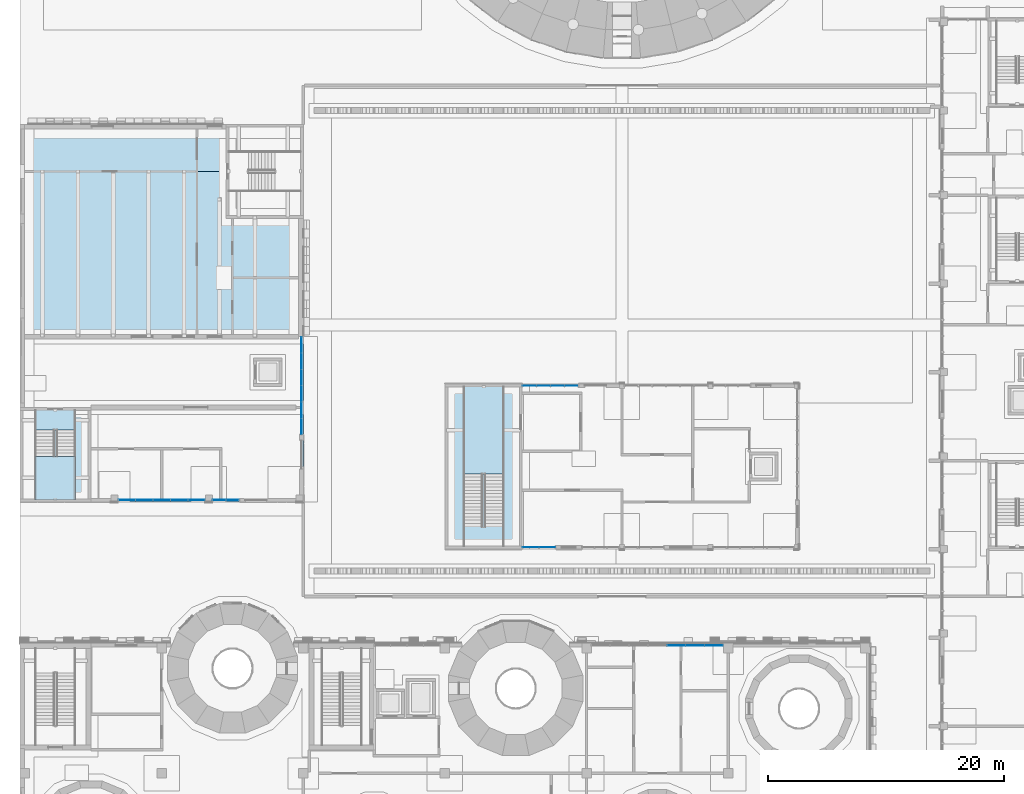
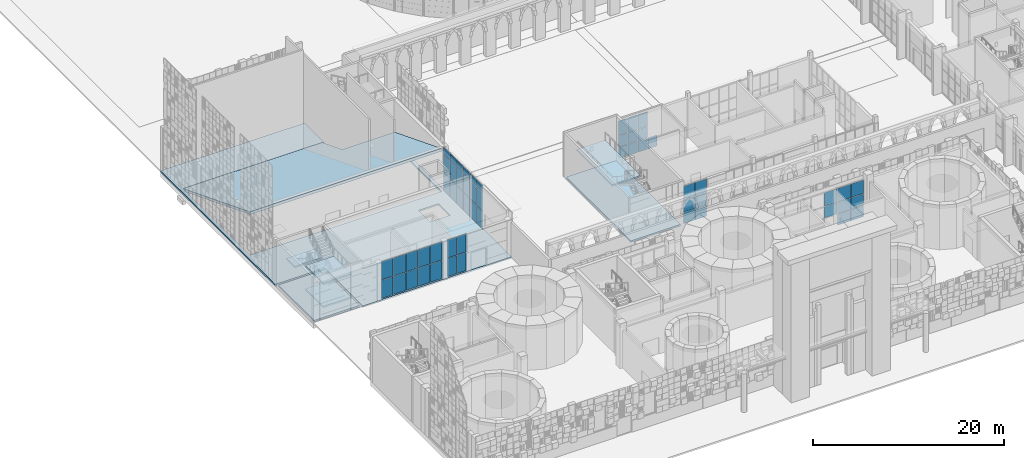
# One storey, part 41 of 125: 56 plates, 8 slabs, 8 elements without a shape of their own.
"""IFC4 building model written with IfcOpenShell, lengths in metres."""

from ifc_helpers import new_model, si_unit, direction, frame, origin, origin_2d, place, context, subcontext, project, spatial, polyline, rectangle, outline, extrude, material, layer, layer_set, type_object, element, aggregate, save


model = new_model("IFC4")

# Units and contexts
model_context = context("Model", 3, precision=1e-05, world=origin(), true_north=direction((0.0, 1.0)))
body_context = subcontext(model_context, "Body", "Model", "MODEL_VIEW")
ifc_project = project(units=[si_unit("LENGTHUNIT", "METRE"), si_unit("AREAUNIT", "SQUARE_METRE"), si_unit("VOLUMEUNIT", "CUBIC_METRE"), si_unit("PLANEANGLEUNIT", "RADIAN"), si_unit("MASSUNIT", "GRAM", prefix="KILO")], contexts=[model_context])

# Site, building, storey
site_placement = place(None, origin())
site = spatial("IfcSite", under=ifc_project, at=site_placement, CompositionType="ELEMENT")
building_placement = place(site_placement, origin())
building = spatial("IfcBuilding", under=site, at=building_placement, Name="Sun Court Science Centre", CompositionType="ELEMENT")
storey_placement = place(building_placement, origin())
storey = spatial("IfcBuildingStorey", under=building, at=storey_placement, Name="L00", CompositionType="ELEMENT", Elevation=0.0)

# Curtain wall, plates
ifc_material_1 = material(Name="Aluminium EN AW-6063 T6", Category="aluminium")
curtain_wall_type_1 = type_object("IfcCurtainWallType", Name="Court gallery curtain wall 1500", PredefinedType="NOTDEFINED", material=ifc_material_1)
curtain_wall_1_placement = place(storey_placement, origin())
curtain_wall_1 = element("IfcCurtainWall", 1, at=curtain_wall_1_placement, inside=storey, type_object=curtain_wall_type_1, Name="Curtain wall V2 N L00 02", PredefinedType="NOTDEFINED")
ifc_material_2 = material(Name="Insulated glass", Category="glass")
ifc_layer_1 = layer(ifc_material_2, 0.031982421875)
ifc_layer_set_1 = layer_set([ifc_layer_1], Name="Insulated glass")
plate_type_1 = type_object("IfcPlateType", Name="Foyer insulated glazing panel 8-16-8", PredefinedType="CURTAIN_PANEL", material=ifc_layer_set_1)
plate_1_placement = place(storey_placement, frame((57.199951171875, 27.85009765625, 0.0498046875), z_axis=(0.0, 0.0, 1.0), x_axis=(1.0, 0.0, 0.0)))
plate_1 = element("IfcPlate", 2, at=plate_1_placement, type_object=plate_type_1, Name="CW5-02 panel 6.1", PredefinedType="CURTAIN_PANEL", context=body_context, shape_type="SweptSolid", body=[
    extrude(rectangle(XDim=1.550048828125, YDim=0.031982421875, at=origin_2d()), origin(), (0.0, 0.0, 1.0), 1.425048828125),
])
plate_2_placement = place(storey_placement, frame((58.78759765625, 27.85009765625, 0.0498046875), z_axis=(0.0, 0.0, 1.0), x_axis=(1.0, 0.0, 0.0)))
plate_2 = element("IfcPlate", 3, at=plate_2_placement, type_object=plate_type_1, Name="CW5-02 panel 7.1", PredefinedType="CURTAIN_PANEL", context=body_context, shape_type="SweptSolid", body=[
    extrude(rectangle(XDim=1.52490234375, YDim=0.031982421875, at=origin_2d()), origin(), (0.0, 0.0, 1.0), 1.425048828125),
])
plate_3_placement = place(storey_placement, frame((55.60009765625, 27.85009765625, 1.52490234375), z_axis=(0.0, 0.0, 1.0), x_axis=(1.0, 0.0, 0.0)))
plate_3 = element("IfcPlate", 4, at=plate_3_placement, type_object=plate_type_1, Name="CW5-02 panel 5.2", PredefinedType="CURTAIN_PANEL", context=body_context, shape_type="SweptSolid", body=[
    extrude(rectangle(XDim=1.550048828125, YDim=0.031982421875, at=origin_2d()), origin(), (0.0, 0.0, 1.0), 1.449951171875),
])
plate_4_placement = place(storey_placement, frame((57.199951171875, 27.85009765625, 1.52490234375), z_axis=(0.0, 0.0, 1.0), x_axis=(1.0, 0.0, 0.0)))
plate_4 = element("IfcPlate", 5, at=plate_4_placement, type_object=plate_type_1, Name="CW5-02 panel 6.2", PredefinedType="CURTAIN_PANEL", context=body_context, shape_type="SweptSolid", body=[
    extrude(rectangle(XDim=1.550048828125, YDim=0.031982421875, at=origin_2d()), origin(), (0.0, 0.0, 1.0), 1.449951171875),
])
plate_5_placement = place(storey_placement, frame((58.78759765625, 27.85009765625, 1.52490234375), z_axis=(0.0, 0.0, 1.0), x_axis=(1.0, 0.0, 0.0)))
plate_5 = element("IfcPlate", 6, at=plate_5_placement, type_object=plate_type_1, Name="CW5-02 panel 7.2", PredefinedType="CURTAIN_PANEL", context=body_context, shape_type="SweptSolid", body=[
    extrude(rectangle(XDim=1.52490234375, YDim=0.031982421875, at=origin_2d()), origin(), (0.0, 0.0, 1.0), 1.449951171875),
])
plate_6_placement = place(storey_placement, frame((55.60009765625, 27.85009765625, 3.02490234375), z_axis=(0.0, 0.0, 1.0), x_axis=(1.0, 0.0, 0.0)))
plate_6 = element("IfcPlate", 7, at=plate_6_placement, type_object=plate_type_1, Name="CW5-02 panel 5.3", PredefinedType="CURTAIN_PANEL", context=body_context, shape_type="SweptSolid", body=[
    extrude(rectangle(XDim=1.550048828125, YDim=0.031982421875, at=origin_2d()), origin(), (0.0, 0.0, 1.0), 1.72509765625),
])
plate_7_placement = place(storey_placement, frame((57.199951171875, 27.85009765625, 3.02490234375), z_axis=(0.0, 0.0, 1.0), x_axis=(1.0, 0.0, 0.0)))
plate_7 = element("IfcPlate", 8, at=plate_7_placement, type_object=plate_type_1, Name="CW5-02 panel 6.3", PredefinedType="CURTAIN_PANEL", context=body_context, shape_type="SweptSolid", body=[
    extrude(rectangle(XDim=1.550048828125, YDim=0.031982421875, at=origin_2d()), origin(), (0.0, 0.0, 1.0), 1.72509765625),
])
plate_8_placement = place(storey_placement, frame((58.78759765625, 27.85009765625, 3.02490234375), z_axis=(0.0, 0.0, 1.0), x_axis=(1.0, 0.0, 0.0)))
plate_8 = element("IfcPlate", 9, at=plate_8_placement, type_object=plate_type_1, Name="CW5-02 panel 7.3", PredefinedType="CURTAIN_PANEL", context=body_context, shape_type="SweptSolid", body=[
    extrude(rectangle(XDim=1.52490234375, YDim=0.031982421875, at=origin_2d()), origin(), (0.0, 0.0, 1.0), 1.72509765625),
])
aggregate(curtain_wall_1, [plate_1, plate_2, plate_3, plate_4, plate_5, plate_6, plate_7, plate_8])

ifc_material_3 = material(Name="Aluminium EN AW-6063 T6", Category="aluminium")
curtain_wall_type_2 = type_object("IfcCurtainWallType", Name="Foyer curtain wall 1500", PredefinedType="NOTDEFINED", material=ifc_material_3)
curtain_wall_2_placement = place(storey_placement, origin())
curtain_wall_2 = element("IfcCurtainWall", 10, at=curtain_wall_2_placement, inside=storey, type_object=curtain_wall_type_2, Name="Curtain wall V3 E L00 01", PredefinedType="NOTDEFINED")
plate_9_placement = place(storey_placement, frame((23.85009765625, 46.404052734375, 0.0498046875), z_axis=(0.0, 0.0, 1.0), x_axis=(0.0, -1.0, 0.0)))
plate_9 = element("IfcPlate", 11, at=plate_9_placement, type_object=plate_type_1, Name="CW1-01 panel 6.1", PredefinedType="CURTAIN_PANEL", context=body_context, shape_type="SweptSolid", body=[
    extrude(rectangle(XDim=1.308349609375, YDim=0.031982421875, at=origin_2d()), origin(), (0.0, 0.0, 1.0), 2.324951171875),
])
plate_10_placement = place(storey_placement, frame((23.85009765625, 47.77490234375, 0.0498046875), z_axis=(0.0, 0.0, 1.0), x_axis=(0.0, -1.0, 0.0)))
plate_10 = element("IfcPlate", 12, at=plate_10_placement, type_object=plate_type_1, Name="CW1-01 panel 5.1", PredefinedType="CURTAIN_PANEL", context=body_context, shape_type="SweptSolid", body=[
    extrude(rectangle(XDim=1.333251953125, YDim=0.031982421875, at=origin_2d()), origin(), (0.0, 0.0, 1.0), 2.324951171875),
])
plate_11_placement = place(storey_placement, frame((23.85009765625, 49.158447265625, 0.0498046875), z_axis=(0.0, 0.0, 1.0), x_axis=(0.0, -1.0, 0.0)))
plate_11 = element("IfcPlate", 13, at=plate_11_placement, type_object=plate_type_1, Name="CW1-01 panel 4.1", PredefinedType="CURTAIN_PANEL", context=body_context, shape_type="SweptSolid", body=[
    extrude(rectangle(XDim=1.333251953125, YDim=0.031982421875, at=origin_2d()), origin(), (0.0, 0.0, 1.0), 2.324951171875),
])
plate_12_placement = place(storey_placement, frame((23.85009765625, 50.541748046875, 0.0498046875), z_axis=(0.0, 0.0, 1.0), x_axis=(0.0, -1.0, 0.0)))
plate_12 = element("IfcPlate", 14, at=plate_12_placement, type_object=plate_type_1, Name="CW1-01 panel 3.1", PredefinedType="CURTAIN_PANEL", context=body_context, shape_type="SweptSolid", body=[
    extrude(rectangle(XDim=1.333251953125, YDim=0.031982421875, at=origin_2d()), origin(), (0.0, 0.0, 1.0), 2.324951171875),
])
plate_13_placement = place(storey_placement, frame((23.85009765625, 51.925048828125, 0.0498046875), z_axis=(0.0, 0.0, 1.0), x_axis=(0.0, -1.0, 0.0)))
plate_13 = element("IfcPlate", 15, at=plate_13_placement, type_object=plate_type_1, Name="CW1-01 panel 2.1", PredefinedType="CURTAIN_PANEL", context=body_context, shape_type="SweptSolid", body=[
    extrude(rectangle(XDim=1.333251953125, YDim=0.031982421875, at=origin_2d()), origin(), (0.0, 0.0, 1.0), 2.324951171875),
])
plate_14_placement = place(storey_placement, frame((23.85009765625, 53.2958984375, 0.0498046875), z_axis=(0.0, 0.0, 1.0), x_axis=(0.0, -1.0, 0.0)))
plate_14 = element("IfcPlate", 16, at=plate_14_placement, type_object=plate_type_1, Name="CW1-01 panel 1.1", PredefinedType="CURTAIN_PANEL", context=body_context, shape_type="SweptSolid", body=[
    extrude(rectangle(XDim=1.308349609375, YDim=0.031982421875, at=origin_2d()), origin(), (0.0, 0.0, 1.0), 2.324951171875),
])
plate_15_placement = place(storey_placement, frame((23.85009765625, 46.404052734375, 2.425048828125), z_axis=(0.0, 0.0, 1.0), x_axis=(0.0, -1.0, 0.0)))
plate_15 = element("IfcPlate", 17, at=plate_15_placement, type_object=plate_type_1, Name="CW1-01 panel 6.2", PredefinedType="CURTAIN_PANEL", context=body_context, shape_type="SweptSolid", body=[
    extrude(rectangle(XDim=1.308349609375, YDim=0.031982421875, at=origin_2d()), origin(), (0.0, 0.0, 1.0), 2.35009765625),
])
plate_16_placement = place(storey_placement, frame((23.85009765625, 47.77490234375, 2.425048828125), z_axis=(0.0, 0.0, 1.0), x_axis=(0.0, -1.0, 0.0)))
plate_16 = element("IfcPlate", 18, at=plate_16_placement, type_object=plate_type_1, Name="CW1-01 panel 5.2", PredefinedType="CURTAIN_PANEL", context=body_context, shape_type="SweptSolid", body=[
    extrude(rectangle(XDim=1.333251953125, YDim=0.031982421875, at=origin_2d()), origin(), (0.0, 0.0, 1.0), 2.35009765625),
])
plate_17_placement = place(storey_placement, frame((23.85009765625, 49.158447265625, 2.425048828125), z_axis=(0.0, 0.0, 1.0), x_axis=(0.0, -1.0, 0.0)))
plate_17 = element("IfcPlate", 19, at=plate_17_placement, type_object=plate_type_1, Name="CW1-01 panel 4.2", PredefinedType="CURTAIN_PANEL", context=body_context, shape_type="SweptSolid", body=[
    extrude(rectangle(XDim=1.333251953125, YDim=0.031982421875, at=origin_2d()), origin(), (0.0, 0.0, 1.0), 2.35009765625),
])
plate_18_placement = place(storey_placement, frame((23.85009765625, 50.541748046875, 2.425048828125), z_axis=(0.0, 0.0, 1.0), x_axis=(0.0, -1.0, 0.0)))
plate_18 = element("IfcPlate", 20, at=plate_18_placement, type_object=plate_type_1, Name="CW1-01 panel 3.2", PredefinedType="CURTAIN_PANEL", context=body_context, shape_type="SweptSolid", body=[
    extrude(rectangle(XDim=1.333251953125, YDim=0.031982421875, at=origin_2d()), origin(), (0.0, 0.0, 1.0), 2.35009765625),
])
plate_19_placement = place(storey_placement, frame((23.85009765625, 51.925048828125, 2.425048828125), z_axis=(0.0, 0.0, 1.0), x_axis=(0.0, -1.0, 0.0)))
plate_19 = element("IfcPlate", 21, at=plate_19_placement, type_object=plate_type_1, Name="CW1-01 panel 2.2", PredefinedType="CURTAIN_PANEL", context=body_context, shape_type="SweptSolid", body=[
    extrude(rectangle(XDim=1.333251953125, YDim=0.031982421875, at=origin_2d()), origin(), (0.0, 0.0, 1.0), 2.35009765625),
])
plate_20_placement = place(storey_placement, frame((23.85009765625, 53.2958984375, 2.425048828125), z_axis=(0.0, 0.0, 1.0), x_axis=(0.0, -1.0, 0.0)))
plate_20 = element("IfcPlate", 22, at=plate_20_placement, type_object=plate_type_1, Name="CW1-01 panel 1.2", PredefinedType="CURTAIN_PANEL", context=body_context, shape_type="SweptSolid", body=[
    extrude(rectangle(XDim=1.308349609375, YDim=0.031982421875, at=origin_2d()), origin(), (0.0, 0.0, 1.0), 2.35009765625),
])
plate_21_placement = place(storey_placement, frame((23.85009765625, 46.404052734375, 4.8251953125), z_axis=(0.0, 0.0, 1.0), x_axis=(0.0, -1.0, 0.0)))
plate_21 = element("IfcPlate", 23, at=plate_21_placement, type_object=plate_type_1, Name="CW1-01 panel 6.3", PredefinedType="CURTAIN_PANEL", context=body_context, shape_type="SweptSolid", body=[
    extrude(rectangle(XDim=1.308349609375, YDim=0.031982421875, at=origin_2d()), origin(), (0.0, 0.0, 1.0), 0.824951171875),
])
plate_22_placement = place(storey_placement, frame((23.85009765625, 47.77490234375, 4.8251953125), z_axis=(0.0, 0.0, 1.0), x_axis=(0.0, -1.0, 0.0)))
plate_22 = element("IfcPlate", 24, at=plate_22_placement, type_object=plate_type_1, Name="CW1-01 panel 5.3", PredefinedType="CURTAIN_PANEL", context=body_context, shape_type="SweptSolid", body=[
    extrude(rectangle(XDim=1.333251953125, YDim=0.031982421875, at=origin_2d()), origin(), (0.0, 0.0, 1.0), 0.824951171875),
])
plate_23_placement = place(storey_placement, frame((23.85009765625, 49.158447265625, 4.8251953125), z_axis=(0.0, 0.0, 1.0), x_axis=(0.0, -1.0, 0.0)))
plate_23 = element("IfcPlate", 25, at=plate_23_placement, type_object=plate_type_1, Name="CW1-01 panel 4.3", PredefinedType="CURTAIN_PANEL", context=body_context, shape_type="SweptSolid", body=[
    extrude(rectangle(XDim=1.333251953125, YDim=0.031982421875, at=origin_2d()), origin(), (0.0, 0.0, 1.0), 0.824951171875),
])
plate_24_placement = place(storey_placement, frame((23.85009765625, 50.541748046875, 4.8251953125), z_axis=(0.0, 0.0, 1.0), x_axis=(0.0, -1.0, 0.0)))
plate_24 = element("IfcPlate", 26, at=plate_24_placement, type_object=plate_type_1, Name="CW1-01 panel 3.3", PredefinedType="CURTAIN_PANEL", context=body_context, shape_type="SweptSolid", body=[
    extrude(rectangle(XDim=1.333251953125, YDim=0.031982421875, at=origin_2d()), origin(), (0.0, 0.0, 1.0), 0.824951171875),
])
plate_25_placement = place(storey_placement, frame((23.85009765625, 51.925048828125, 4.8251953125), z_axis=(0.0, 0.0, 1.0), x_axis=(0.0, -1.0, 0.0)))
plate_25 = element("IfcPlate", 27, at=plate_25_placement, type_object=plate_type_1, Name="CW1-01 panel 2.3", PredefinedType="CURTAIN_PANEL", context=body_context, shape_type="SweptSolid", body=[
    extrude(rectangle(XDim=1.333251953125, YDim=0.031982421875, at=origin_2d()), origin(), (0.0, 0.0, 1.0), 0.824951171875),
])
plate_26_placement = place(storey_placement, frame((23.85009765625, 53.2958984375, 4.8251953125), z_axis=(0.0, 0.0, 1.0), x_axis=(0.0, -1.0, 0.0)))
plate_26 = element("IfcPlate", 28, at=plate_26_placement, type_object=plate_type_1, Name="CW1-01 panel 1.3", PredefinedType="CURTAIN_PANEL", context=body_context, shape_type="SweptSolid", body=[
    extrude(rectangle(XDim=1.308349609375, YDim=0.031982421875, at=origin_2d()), origin(), (0.0, 0.0, 1.0), 0.824951171875),
])
aggregate(curtain_wall_2, [plate_9, plate_10, plate_11, plate_12, plate_13, plate_14, plate_15, plate_16, plate_17, plate_18, plate_19, plate_20, plate_21, plate_22, plate_23, plate_24, plate_25, plate_26])

curtain_wall_3_placement = place(storey_placement, origin())
curtain_wall_3 = element("IfcCurtainWall", 29, at=curtain_wall_3_placement, inside=storey, type_object=curtain_wall_type_2, Name="Curtain wall V3 S L00 01", PredefinedType="NOTDEFINED")
plate_27_placement = place(storey_placement, frame((16.887451171875, 40.14990234375, 0.0498046875), z_axis=(0.0, 0.0, 1.0), x_axis=(-1.0, 0.0, 0.0)))
plate_27 = element("IfcPlate", 30, at=plate_27_placement, type_object=plate_type_1, Name="CW1-03 panel 2.1", PredefinedType="CURTAIN_PANEL", context=body_context, shape_type="SweptSolid", body=[
    extrude(rectangle(XDim=1.074951171875, YDim=0.031982421875, at=origin_2d()), origin(), (0.0, 0.0, 1.0), 2.324951171875),
])
plate_28_placement = place(storey_placement, frame((18.012451171875, 40.14990234375, 0.0498046875), z_axis=(0.0, 0.0, 1.0), x_axis=(-1.0, 0.0, 0.0)))
plate_28 = element("IfcPlate", 31, at=plate_28_placement, type_object=plate_type_1, Name="CW1-03 panel 1.1", PredefinedType="CURTAIN_PANEL", context=body_context, shape_type="SweptSolid", body=[
    extrude(rectangle(XDim=1.074951171875, YDim=0.031982421875, at=origin_2d()), origin(), (0.0, 0.0, 1.0), 2.324951171875),
])
plate_29_placement = place(storey_placement, frame((16.887451171875, 40.14990234375, 2.4248046875), z_axis=(0.0, 0.0, 1.0), x_axis=(-1.0, 0.0, 0.0)))
plate_29 = element("IfcPlate", 32, at=plate_29_placement, type_object=plate_type_1, Name="CW1-03 panel 2.2", PredefinedType="CURTAIN_PANEL", context=body_context, shape_type="SweptSolid", body=[
    extrude(rectangle(XDim=1.074951171875, YDim=0.031982421875, at=origin_2d()), origin(), (0.0, 0.0, 1.0), 2.324951171875),
])
plate_30_placement = place(storey_placement, frame((18.012451171875, 40.14990234375, 2.4248046875), z_axis=(0.0, 0.0, 1.0), x_axis=(-1.0, 0.0, 0.0)))
plate_30 = element("IfcPlate", 33, at=plate_30_placement, type_object=plate_type_1, Name="CW1-03 panel 1.2", PredefinedType="CURTAIN_PANEL", context=body_context, shape_type="SweptSolid", body=[
    extrude(rectangle(XDim=1.074951171875, YDim=0.031982421875, at=origin_2d()), origin(), (0.0, 0.0, 1.0), 2.324951171875),
])
aggregate(curtain_wall_3, [plate_27, plate_28, plate_29, plate_30])

curtain_wall_4_placement = place(storey_placement, origin())
curtain_wall_4 = element("IfcCurtainWall", 34, at=curtain_wall_4_placement, inside=storey, type_object=curtain_wall_type_2, Name="Curtain wall V3 S L00 02", PredefinedType="NOTDEFINED")
plate_31_placement = place(storey_placement, frame((9.052490234375, 40.14990234375, 0.0498046875), z_axis=(0.0, 0.0, 1.0), x_axis=(-1.0, 0.0, 0.0)))
plate_31 = element("IfcPlate", 35, at=plate_31_placement, type_object=plate_type_1, Name="CW1-04 panel 5.1", PredefinedType="CURTAIN_PANEL", context=body_context, shape_type="SweptSolid", body=[
    extrude(rectangle(XDim=1.405029296875, YDim=0.031982421875, at=origin_2d()), origin(), (0.0, 0.0, 1.0), 2.324951171875),
])
plate_32_placement = place(storey_placement, frame((10.52001953125, 40.14990234375, 0.0498046875), z_axis=(0.0, 0.0, 1.0), x_axis=(-1.0, 0.0, 0.0)))
plate_32 = element("IfcPlate", 36, at=plate_32_placement, type_object=plate_type_1, Name="CW1-04 panel 4.1", PredefinedType="CURTAIN_PANEL", context=body_context, shape_type="SweptSolid", body=[
    extrude(rectangle(XDim=1.429931640625, YDim=0.031982421875, at=origin_2d()), origin(), (0.0, 0.0, 1.0), 2.324951171875),
])
plate_33_placement = place(storey_placement, frame((12.0, 40.14990234375, 0.0498046875), z_axis=(0.0, 0.0, 1.0), x_axis=(-1.0, 0.0, 0.0)))
plate_33 = element("IfcPlate", 37, at=plate_33_placement, type_object=plate_type_1, Name="CW1-04 panel 3.1", PredefinedType="CURTAIN_PANEL", context=body_context, shape_type="SweptSolid", body=[
    extrude(rectangle(XDim=1.429931640625, YDim=0.031982421875, at=origin_2d()), origin(), (0.0, 0.0, 1.0), 2.324951171875),
])
plate_34_placement = place(storey_placement, frame((13.47998046875, 40.14990234375, 0.0498046875), z_axis=(0.0, 0.0, 1.0), x_axis=(-1.0, 0.0, 0.0)))
plate_34 = element("IfcPlate", 38, at=plate_34_placement, type_object=plate_type_1, Name="CW1-04 panel 2.1", PredefinedType="CURTAIN_PANEL", context=body_context, shape_type="SweptSolid", body=[
    extrude(rectangle(XDim=1.429931640625, YDim=0.031982421875, at=origin_2d()), origin(), (0.0, 0.0, 1.0), 2.324951171875),
])
plate_35_placement = place(storey_placement, frame((14.947509765625, 40.14990234375, 0.0498046875), z_axis=(0.0, 0.0, 1.0), x_axis=(-1.0, 0.0, 0.0)))
plate_35 = element("IfcPlate", 39, at=plate_35_placement, type_object=plate_type_1, Name="CW1-04 panel 1.1", PredefinedType="CURTAIN_PANEL", context=body_context, shape_type="SweptSolid", body=[
    extrude(rectangle(XDim=1.405029296875, YDim=0.031982421875, at=origin_2d()), origin(), (0.0, 0.0, 1.0), 2.324951171875),
])
plate_36_placement = place(storey_placement, frame((9.052490234375, 40.14990234375, 2.4248046875), z_axis=(0.0, 0.0, 1.0), x_axis=(-1.0, 0.0, 0.0)))
plate_36 = element("IfcPlate", 40, at=plate_36_placement, type_object=plate_type_1, Name="CW1-04 panel 5.2", PredefinedType="CURTAIN_PANEL", context=body_context, shape_type="SweptSolid", body=[
    extrude(rectangle(XDim=1.405029296875, YDim=0.031982421875, at=origin_2d()), origin(), (0.0, 0.0, 1.0), 2.324951171875),
])
plate_37_placement = place(storey_placement, frame((10.52001953125, 40.14990234375, 2.4248046875), z_axis=(0.0, 0.0, 1.0), x_axis=(-1.0, 0.0, 0.0)))
plate_37 = element("IfcPlate", 41, at=plate_37_placement, type_object=plate_type_1, Name="CW1-04 panel 4.2", PredefinedType="CURTAIN_PANEL", context=body_context, shape_type="SweptSolid", body=[
    extrude(rectangle(XDim=1.429931640625, YDim=0.031982421875, at=origin_2d()), origin(), (0.0, 0.0, 1.0), 2.324951171875),
])
plate_38_placement = place(storey_placement, frame((12.0, 40.14990234375, 2.4248046875), z_axis=(0.0, 0.0, 1.0), x_axis=(-1.0, 0.0, 0.0)))
plate_38 = element("IfcPlate", 42, at=plate_38_placement, type_object=plate_type_1, Name="CW1-04 panel 3.2", PredefinedType="CURTAIN_PANEL", context=body_context, shape_type="SweptSolid", body=[
    extrude(rectangle(XDim=1.429931640625, YDim=0.031982421875, at=origin_2d()), origin(), (0.0, 0.0, 1.0), 2.324951171875),
])
plate_39_placement = place(storey_placement, frame((13.47998046875, 40.14990234375, 2.4248046875), z_axis=(0.0, 0.0, 1.0), x_axis=(-1.0, 0.0, 0.0)))
plate_39 = element("IfcPlate", 43, at=plate_39_placement, type_object=plate_type_1, Name="CW1-04 panel 2.2", PredefinedType="CURTAIN_PANEL", context=body_context, shape_type="SweptSolid", body=[
    extrude(rectangle(XDim=1.429931640625, YDim=0.031982421875, at=origin_2d()), origin(), (0.0, 0.0, 1.0), 2.324951171875),
])
plate_40_placement = place(storey_placement, frame((14.947509765625, 40.14990234375, 2.4248046875), z_axis=(0.0, 0.0, 1.0), x_axis=(-1.0, 0.0, 0.0)))
plate_40 = element("IfcPlate", 44, at=plate_40_placement, type_object=plate_type_1, Name="CW1-04 panel 1.2", PredefinedType="CURTAIN_PANEL", context=body_context, shape_type="SweptSolid", body=[
    extrude(rectangle(XDim=1.405029296875, YDim=0.031982421875, at=origin_2d()), origin(), (0.0, 0.0, 1.0), 2.324951171875),
])
aggregate(curtain_wall_4, [plate_31, plate_32, plate_33, plate_34, plate_35, plate_36, plate_37, plate_38, plate_39, plate_40])

ifc_material_4 = material(Name="Aluminium EN AW-6063 T6", Category="aluminium")
curtain_wall_type_3 = type_object("IfcCurtainWallType", Name="Pavilion curtain wall 1200", PredefinedType="NOTDEFINED", material=ifc_material_4)
curtain_wall_5_placement = place(storey_placement, origin())
curtain_wall_5 = element("IfcCurtainWall", 45, at=curtain_wall_5_placement, inside=storey, type_object=curtain_wall_type_3, Name="Curtain wall V5 S L00 04", PredefinedType="NOTDEFINED")
ifc_material_5 = material(Name="Toughened safety glass", Category="glass")
ifc_layer_2 = layer(ifc_material_5, 0.0107421875)
ifc_layer_set_2 = layer_set([ifc_layer_2], Name="Toughened safety glass")
plate_type_2 = type_object("IfcPlateType", Name="Pavilion toughened glazing panel 10.8", PredefinedType="CURTAIN_PANEL", material=ifc_layer_set_2)
plate_41_placement = place(storey_placement, frame((43.27490234375, 36.14990234375, 0.0498046875), z_axis=(0.0, 0.0, 1.0), x_axis=(-1.0, 0.0, 0.0)))
plate_41 = element("IfcPlate", 46, at=plate_41_placement, type_object=plate_type_2, Name="CW3-04 panel 2.1", PredefinedType="CURTAIN_PANEL", context=body_context, shape_type="SweptSolid", body=[
    extrude(rectangle(XDim=1.35009765625, YDim=0.0107421875, at=origin_2d()), origin(), (0.0, 0.0, 1.0), 1.425048828125),
])
plate_42_placement = place(storey_placement, frame((44.675048828125, 36.14990234375, 0.0498046875), z_axis=(0.0, 0.0, 1.0), x_axis=(-1.0, 0.0, 0.0)))
plate_42 = element("IfcPlate", 47, at=plate_42_placement, type_object=plate_type_2, Name="CW3-04 panel 1.1", PredefinedType="CURTAIN_PANEL", context=body_context, shape_type="SweptSolid", body=[
    extrude(rectangle(XDim=1.35009765625, YDim=0.0107421875, at=origin_2d()), origin(), (0.0, 0.0, 1.0), 1.425048828125),
])
plate_43_placement = place(storey_placement, frame((43.27490234375, 36.14990234375, 1.52490234375), z_axis=(0.0, 0.0, 1.0), x_axis=(-1.0, 0.0, 0.0)))
plate_43 = element("IfcPlate", 48, at=plate_43_placement, type_object=plate_type_2, Name="CW3-04 panel 2.2", PredefinedType="CURTAIN_PANEL", context=body_context, shape_type="SweptSolid", body=[
    extrude(rectangle(XDim=1.35009765625, YDim=0.0107421875, at=origin_2d()), origin(), (0.0, 0.0, 1.0), 1.449951171875),
])
plate_44_placement = place(storey_placement, frame((44.675048828125, 36.14990234375, 1.52490234375), z_axis=(0.0, 0.0, 1.0), x_axis=(-1.0, 0.0, 0.0)))
plate_44 = element("IfcPlate", 49, at=plate_44_placement, type_object=plate_type_2, Name="CW3-04 panel 1.2", PredefinedType="CURTAIN_PANEL", context=body_context, shape_type="SweptSolid", body=[
    extrude(rectangle(XDim=1.35009765625, YDim=0.0107421875, at=origin_2d()), origin(), (0.0, 0.0, 1.0), 1.449951171875),
])
plate_45_placement = place(storey_placement, frame((43.27490234375, 36.14990234375, 3.02490234375), z_axis=(0.0, 0.0, 1.0), x_axis=(-1.0, 0.0, 0.0)))
plate_45 = element("IfcPlate", 50, at=plate_45_placement, type_object=plate_type_2, Name="CW3-04 panel 2.3", PredefinedType="CURTAIN_PANEL", context=body_context, shape_type="SweptSolid", body=[
    extrude(rectangle(XDim=1.35009765625, YDim=0.0107421875, at=origin_2d()), origin(), (0.0, 0.0, 1.0), 1.824951171875),
])
plate_46_placement = place(storey_placement, frame((44.675048828125, 36.14990234375, 3.02490234375), z_axis=(0.0, 0.0, 1.0), x_axis=(-1.0, 0.0, 0.0)))
plate_46 = element("IfcPlate", 51, at=plate_46_placement, type_object=plate_type_2, Name="CW3-04 panel 1.3", PredefinedType="CURTAIN_PANEL", context=body_context, shape_type="SweptSolid", body=[
    extrude(rectangle(XDim=1.35009765625, YDim=0.0107421875, at=origin_2d()), origin(), (0.0, 0.0, 1.0), 1.824951171875),
])
aggregate(curtain_wall_5, [plate_41, plate_42, plate_43, plate_44, plate_45, plate_46])

curtain_wall_6_placement = place(storey_placement, origin())
curtain_wall_6 = element("IfcCurtainWall", 52, at=curtain_wall_6_placement, inside=storey, type_object=curtain_wall_type_3, Name="Curtain wall V5 N L00 01", PredefinedType="NOTDEFINED")
plate_47_placement = place(storey_placement, frame((43.16259765625, 49.85009765625, 0.0498046875), z_axis=(0.0, 0.0, 1.0), x_axis=(1.0, 0.0, 0.0)))
plate_47 = element("IfcPlate", 53, at=plate_47_placement, type_object=plate_type_2, Name="CW3-11 panel 1.1", PredefinedType="CURTAIN_PANEL", context=body_context, shape_type="SweptSolid", body=[
    extrude(rectangle(XDim=1.125, YDim=0.0107421875, at=origin_2d()), origin(), (0.0, 0.0, 1.0), 1.425048828125),
])
plate_48_placement = place(storey_placement, frame((44.35009765625, 49.85009765625, 0.0498046875), z_axis=(0.0, 0.0, 1.0), x_axis=(1.0, 0.0, 0.0)))
plate_48 = element("IfcPlate", 54, at=plate_48_placement, type_object=plate_type_2, Name="CW3-11 panel 2.1", PredefinedType="CURTAIN_PANEL", context=body_context, shape_type="SweptSolid", body=[
    extrude(rectangle(XDim=1.14990234375, YDim=0.0107421875, at=origin_2d()), origin(), (0.0, 0.0, 1.0), 1.425048828125),
])
plate_49_placement = place(storey_placement, frame((45.550048828125, 49.85009765625, 0.0498046875), z_axis=(0.0, 0.0, 1.0), x_axis=(1.0, 0.0, 0.0)))
plate_49 = element("IfcPlate", 55, at=plate_49_placement, type_object=plate_type_2, Name="CW3-11 panel 3.1", PredefinedType="CURTAIN_PANEL", context=body_context, shape_type="SweptSolid", body=[
    extrude(rectangle(XDim=1.14990234375, YDim=0.0107421875, at=origin_2d()), origin(), (0.0, 0.0, 1.0), 1.425048828125),
])
plate_50_placement = place(storey_placement, frame((46.737548828125, 49.85009765625, 0.0498046875), z_axis=(0.0, 0.0, 1.0), x_axis=(1.0, 0.0, 0.0)))
plate_50 = element("IfcPlate", 56, at=plate_50_placement, type_object=plate_type_2, Name="CW3-11 panel 4.1", PredefinedType="CURTAIN_PANEL", context=body_context, shape_type="SweptSolid", body=[
    extrude(rectangle(XDim=1.125, YDim=0.0107421875, at=origin_2d()), origin(), (0.0, 0.0, 1.0), 1.425048828125),
])
plate_51_placement = place(storey_placement, frame((43.16259765625, 49.85009765625, 1.52490234375), z_axis=(0.0, 0.0, 1.0), x_axis=(1.0, 0.0, 0.0)))
plate_51 = element("IfcPlate", 57, at=plate_51_placement, type_object=plate_type_2, Name="CW3-11 panel 1.2", PredefinedType="CURTAIN_PANEL", context=body_context, shape_type="SweptSolid", body=[
    extrude(rectangle(XDim=1.125, YDim=0.0107421875, at=origin_2d()), origin(), (0.0, 0.0, 1.0), 1.449951171875),
])
plate_52_placement = place(storey_placement, frame((44.35009765625, 49.85009765625, 1.52490234375), z_axis=(0.0, 0.0, 1.0), x_axis=(1.0, 0.0, 0.0)))
plate_52 = element("IfcPlate", 58, at=plate_52_placement, type_object=plate_type_2, Name="CW3-11 panel 2.2", PredefinedType="CURTAIN_PANEL", context=body_context, shape_type="SweptSolid", body=[
    extrude(rectangle(XDim=1.14990234375, YDim=0.0107421875, at=origin_2d()), origin(), (0.0, 0.0, 1.0), 1.449951171875),
])
plate_53_placement = place(storey_placement, frame((45.550048828125, 49.85009765625, 1.52490234375), z_axis=(0.0, 0.0, 1.0), x_axis=(1.0, 0.0, 0.0)))
plate_53 = element("IfcPlate", 59, at=plate_53_placement, type_object=plate_type_2, Name="CW3-11 panel 3.2", PredefinedType="CURTAIN_PANEL", context=body_context, shape_type="SweptSolid", body=[
    extrude(rectangle(XDim=1.14990234375, YDim=0.0107421875, at=origin_2d()), origin(), (0.0, 0.0, 1.0), 1.449951171875),
])
plate_54_placement = place(storey_placement, frame((43.16259765625, 49.85009765625, 3.02490234375), z_axis=(0.0, 0.0, 1.0), x_axis=(1.0, 0.0, 0.0)))
plate_54 = element("IfcPlate", 60, at=plate_54_placement, type_object=plate_type_2, Name="CW3-11 panel 1.3", PredefinedType="CURTAIN_PANEL", context=body_context, shape_type="SweptSolid", body=[
    extrude(rectangle(XDim=1.125, YDim=0.0107421875, at=origin_2d()), origin(), (0.0, 0.0, 1.0), 1.824951171875),
])
plate_55_placement = place(storey_placement, frame((44.35009765625, 49.85009765625, 3.02490234375), z_axis=(0.0, 0.0, 1.0), x_axis=(1.0, 0.0, 0.0)))
plate_55 = element("IfcPlate", 61, at=plate_55_placement, type_object=plate_type_2, Name="CW3-11 panel 2.3", PredefinedType="CURTAIN_PANEL", context=body_context, shape_type="SweptSolid", body=[
    extrude(rectangle(XDim=1.14990234375, YDim=0.0107421875, at=origin_2d()), origin(), (0.0, 0.0, 1.0), 1.824951171875),
])
plate_56_placement = place(storey_placement, frame((45.550048828125, 49.85009765625, 3.02490234375), z_axis=(0.0, 0.0, 1.0), x_axis=(1.0, 0.0, 0.0)))
plate_56 = element("IfcPlate", 62, at=plate_56_placement, type_object=plate_type_2, Name="CW3-11 panel 3.3", PredefinedType="CURTAIN_PANEL", context=body_context, shape_type="SweptSolid", body=[
    extrude(rectangle(XDim=1.14990234375, YDim=0.0107421875, at=origin_2d()), origin(), (0.0, 0.0, 1.0), 1.824951171875),
])
aggregate(curtain_wall_6, [plate_47, plate_48, plate_49, plate_50, plate_51, plate_52, plate_53, plate_54, plate_55, plate_56])

# Slabs
ifc_material_6 = material(Name="Concrete C25/30", Category="concrete")
ifc_layer_3 = layer(ifc_material_6, 0.199951171875)
ifc_layer_set_3 = layer_set([ifc_layer_3], Name="Concrete C25/30")
slab_type_1 = type_object("IfcSlabType", Name="RC ground slab 200", PredefinedType="BASESLAB", material=ifc_layer_set_3)
slab_1_placement = place(storey_placement, frame((0.0, 0.0, -0.199951171875)))
element("IfcSlab", 63, at=slab_1_placement, inside=storey, type_object=slab_type_1, Name="Ground slab L00", PredefinedType="BASESLAB", context=body_context, shape_type="SweptSolid", body=[
    extrude(outline(polyline([(0.0, 72.0), (0.0, 48.0), (6.0, 48.0), (6.0, 40.0), (24.0, 40.0), (24.0, 64.0), (23.60009765625, 64.0), (23.60009765625, 54.0), (0.39990234375, 54.0), (0.39990234375, 68.0), (17.449951171875, 68.0), (17.449951171875, 72.0), (0.0, 72.0)]), holes=[polyline([(19.78759765625, 52.21240234375), (22.21240234375, 52.21240234375), (22.21240234375, 49.78759765625), (19.78759765625, 49.78759765625), (19.78759765625, 52.21240234375)])]), origin(), (0.0, 0.0, 1.0), 0.199951171875),
])
slab_2_placement = place(storey_placement, frame((0.0, 0.0, -0.199951171875)))
element("IfcSlab", 64, at=slab_2_placement, inside=storey, type_object=slab_type_1, Name="Stair ST1 ground slab", PredefinedType="BASESLAB", context=body_context, shape_type="SweptSolid", body=[
    extrude(outline(polyline([(0.25, 40.25), (5.75, 40.25), (5.75, 47.75), (0.25, 47.75), (0.25, 40.25)])), origin(), (0.0, 0.0, 1.0), 0.199951171875),
])
slab_3_placement = place(storey_placement, frame((0.0, 0.0, -0.199951171875)))
element("IfcSlab", 65, at=slab_3_placement, inside=storey, type_object=slab_type_1, Name="Stair SP1 ground slab", PredefinedType="BASESLAB", context=body_context, shape_type="SweptSolid", body=[
    extrude(outline(polyline([(36.25, 36.25), (42.300048828125, 36.25), (42.300048828125, 49.75), (36.25, 49.75), (36.25, 36.25)])), origin(), (0.0, 0.0, 1.0), 0.199951171875),
])
ifc_material_7 = material(Name="Concrete C25/30", Category="concrete")
ifc_layer_4 = layer(ifc_material_7, 0.300048828125)
ifc_layer_set_4 = layer_set([ifc_layer_4], Name="Concrete C25/30")
slab_type_2 = type_object("IfcSlabType", Name="RC raked floor slab 300", PredefinedType="FLOOR", material=ifc_layer_set_4)
slab_4_placement = place(storey_placement, frame((23.60009765625, 54.0, 5.5), z_axis=(1.714931e-06, 0.365653720132, 0.930750963981), x_axis=(9e-12, 0.930750963982, -0.365653720132)))
element("IfcSlab", 66, at=slab_4_placement, inside=storey, type_object=slab_type_2, Name="Raked auditorium floor", PredefinedType="FLOOR", context=body_context, shape_type="SweptSolid", body=[
    extrude(outline(polyline([(0.0, 0.0), (10.529207424728408, 0.0), (10.529207424668634, 6.350097656240662), (15.04160895641578, 6.3500976564196), (15.041608956257171, 23.20019531264482), (-2.1838432977182342e-10, 23.200195312465883), (0.0, 0.0)])), origin(), (0.0, 0.0, -1.0), 0.300048828125),
])

# Stair, slabs
ifc_material_8 = material(Name="Concrete C25/30", Category="concrete")
stair_type = type_object("IfcStairType", Name="Stair 1500 enclosed half-turn", PredefinedType="HALF_TURN_STAIR", material=ifc_material_8)
stair_1_placement = place(storey_placement, origin())
stair_1 = element("IfcStair", 67, at=stair_1_placement, inside=storey, type_object=stair_type, Name="L00 Stair ST1", PredefinedType="HALF_TURN_STAIR")
ifc_material_9 = material(Name="Concrete C25/30", Category="concrete")
ifc_layer_5 = layer(ifc_material_9, 0.199951171875)
ifc_layer_set_5 = layer_set([ifc_layer_5], Name="Concrete C25/30")
slab_type_3 = type_object("IfcSlabType", Name="Stair landing 200", PredefinedType="LANDING", material=ifc_layer_set_5)
slab_5_placement = place(storey_placement, frame((0.0, 0.0, 1.300048828125)))
slab_5 = element("IfcSlab", 68, at=slab_5_placement, type_object=slab_type_3, Name="ST1 landing 1", PredefinedType="LANDING", context=body_context, shape_type="SweptSolid", body=[
    extrude(outline(polyline([(1.277099609375, 43.865966796875), (1.277099609375, 40.14990234375), (4.722900390625, 40.14990234375), (4.722900390625, 43.865966796875), (1.277099609375, 43.865966796875)])), origin(), (0.0, 0.0, 1.0), 0.199951171875),
])
slab_6_placement = place(storey_placement, frame((0.0, 0.0, 2.800048828125)))
slab_6 = element("IfcSlab", 69, at=slab_6_placement, type_object=slab_type_3, Name="ST1 landing 2", PredefinedType="LANDING", context=body_context, shape_type="SweptSolid", body=[
    extrude(outline(polyline([(1.277099609375, 47.85009765625), (1.277099609375, 46.097900390625), (4.722900390625, 46.097900390625), (4.722900390625, 47.85009765625), (1.277099609375, 47.85009765625)])), origin(), (0.0, 0.0, 1.0), 0.199951171875),
])
slab_7_placement = place(storey_placement, frame((0.0, 0.0, 4.300048828125)))
slab_7 = element("IfcSlab", 70, at=slab_7_placement, type_object=slab_type_3, Name="ST1 landing 3", PredefinedType="LANDING", context=body_context, shape_type="SweptSolid", body=[
    extrude(outline(polyline([(1.277099609375, 43.865966796875), (1.277099609375, 40.14990234375), (4.722900390625, 40.14990234375), (4.722900390625, 43.865966796875), (1.277099609375, 43.865966796875)])), origin(), (0.0, 0.0, 1.0), 0.199951171875),
])
aggregate(stair_1, [slab_5, slab_6, slab_7])

# Stair, slab
stair_2_placement = place(storey_placement, origin())
stair_2 = element("IfcStair", 71, at=stair_2_placement, inside=storey, type_object=stair_type, Name="L00 Stair SP1", PredefinedType="HALF_TURN_STAIR")
slab_8_placement = place(storey_placement, frame((0.0, 0.0, 2.800048828125)))
slab_8 = element("IfcSlab", 72, at=slab_8_placement, type_object=slab_type_3, Name="SP1 landing 1", PredefinedType="LANDING", context=body_context, shape_type="SweptSolid", body=[
    extrude(outline(polyline([(40.998046875, 42.3740234375), (40.998046875, 49.85009765625), (37.552001953125, 49.85009765625), (37.552001953125, 42.3740234375), (40.998046875, 42.3740234375)])), origin(), (0.0, 0.0, 1.0), 0.199951171875),
])
aggregate(stair_2, [slab_8])

save(model, "model.ifc")
